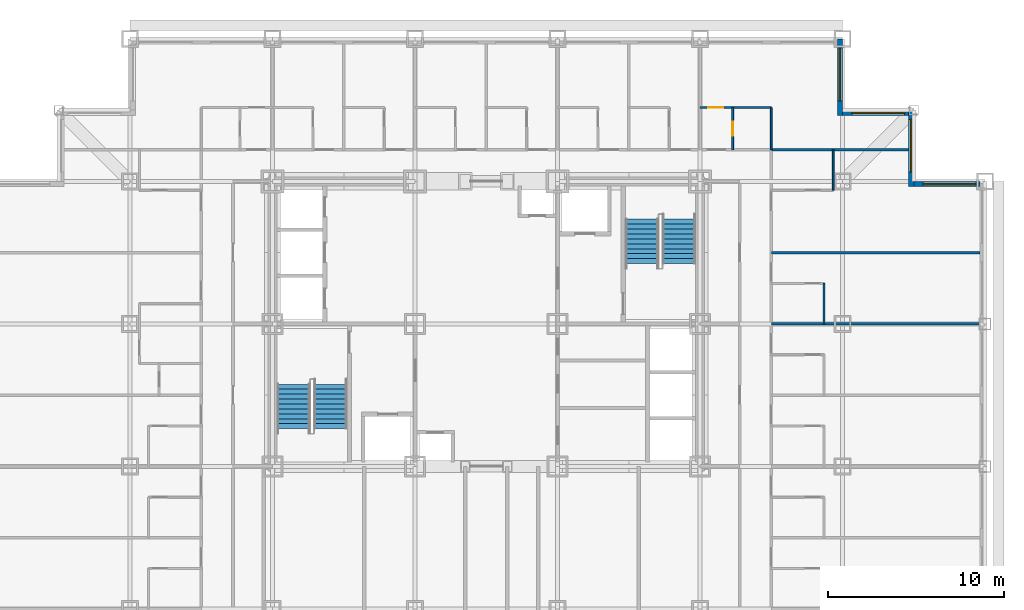
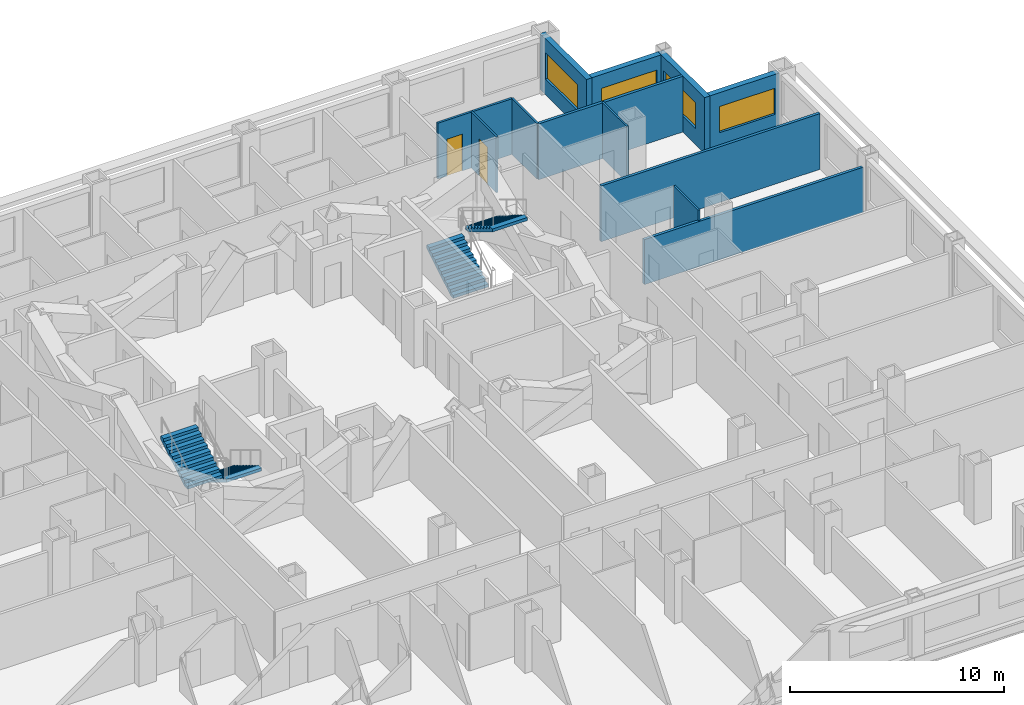
# One storey, part 10 of 11: 12 walls, 4 stair flights, 4 windows, 2 doors, 6 openings, 2 elements without a shape of their own.
"""IFC4 building model written with IfcOpenShell, lengths in metres."""

from ifc_helpers import new_model, si_unit, direction, frame, frame_2d, origin, place, context, subcontext, project, spatial, rectangle, extrude, polygons, source, transform, mapped, material, layer, layer_set, type_object, element, fill, aggregate, save


model = new_model("IFC4")

# Units and contexts
model_context = context("Model", 3, precision=1e-05, world=origin(), true_north=direction((0.0, 1.0)))
body_context = subcontext(model_context, "Body", "Model", "MODEL_VIEW")
ifc_project = project(units=[si_unit("LENGTHUNIT", "METRE"), si_unit("AREAUNIT", "SQUARE_METRE"), si_unit("VOLUMEUNIT", "CUBIC_METRE"), si_unit("PLANEANGLEUNIT", "RADIAN"), si_unit("MASSUNIT", "GRAM", prefix="KILO")], contexts=[model_context])

# Site, building, storey
site_placement = place(None, origin())
site = spatial("IfcSite", under=ifc_project, at=site_placement, CompositionType="ELEMENT")
building_placement = place(site_placement, origin())
building = spatial("IfcBuilding", under=site, at=building_placement, Name="Kopane Lantern Tower", CompositionType="ELEMENT")
storey_placement = place(building_placement, frame((0.0, 0.0, 56.800048828125)))
storey = spatial("IfcBuildingStorey", under=building, at=storey_placement, Name="L13", CompositionType="ELEMENT", Elevation=56.800048828125)

# Wall, opening, door
ifc_material_1 = material(Name="Gypsum board on steel studs", Category="steel")
ifc_layer_1 = layer(ifc_material_1, 0.1201171875)
ifc_layer_set_1 = layer_set([ifc_layer_1], Name="APARTMENT INTERNAL WALL 120")
wall_type_1 = type_object("IfcWallType", Name="APARTMENT INTERNAL WALL 120", PredefinedType="PARTITIONING", material=ifc_layer_set_1)
wall_1_placement = place(storey_placement, frame((40.5, 44.699951171875, 0.0), z_axis=(0.0, 0.0, 1.0), x_axis=(1.0, 0.0, 0.0)))
wall_1 = element("IfcWall", 1, at=wall_1_placement, inside=storey, type_object=wall_type_1, Name="Apartment Internal Wall 120 L13", PredefinedType="PARTITIONING", context=body_context, shape_type="SweptSolid", body=[
    extrude(rectangle(XDim=4.050048828125, YDim=0.1201171875, at=frame_2d((2.02490234375, 0.0))), origin(), (0.0, 0.0, 1.0), 3.18994140625),
])
opening_1_placement = place(wall_1_placement, frame((0.47509765625, 0.0, 0.0)))
opening_1 = element("IfcOpeningElement", 2, at=opening_1_placement, cuts=wall_1, Name="Opening L13-072", PredefinedType="OPENING", context=body_context, shape_type="SweptSolid", body=[
    extrude(rectangle(XDim=0.85009765625, YDim=2.10009765625, at=frame_2d((0.425048828125, 1.050048828125))), frame((0.0, 0.070068359375, 0.0), z_axis=(0.0, -1.0, 0.0), x_axis=(1.0, 0.0, 0.0)), (0.0, 0.0, 1.0), 0.14013671875),
])
ifc_material_2 = material(Name="Timber door set", Category="wood")
door_type_1 = type_object("IfcDoorType", Name="DOOR D4 850x2100", OperationType="SINGLE_SWING_LEFT", PredefinedType="DOOR", material=ifc_material_2)
door_1_placement = place(opening_1_placement, origin())
door_1 = element("IfcDoor", 3, at=door_1_placement, inside=storey, type_object=door_type_1, Name="Door L13-072", OperationType="SINGLE_SWING_LEFT", OverallHeight=2.10009765625, OverallWidth=0.85009765625, PredefinedType="DOOR", context=body_context, shape_type="SweptSolid", body=[
    extrude(rectangle(XDim=0.85009765625, YDim=2.10009765625, at=frame_2d((0.425048828125, 1.050048828125))), frame((0.0, 0.02490234375, 0.0), z_axis=(0.0, -1.0, 0.0), x_axis=(1.0, 0.0, 0.0)), (0.0, 0.0, 1.0), 0.050048828125),
])
fill(opening_1, door_1)

# Walls
ifc_material_3 = material(Name="Moisture-resistant board on steel studs", Category="steel")
ifc_layer_2 = layer(ifc_material_3, 0.10009765625)
ifc_layer_set_2 = layer_set([ifc_layer_2], Name="BATHROOM WALL 100")
wall_type_2 = type_object("IfcWallType", Name="BATHROOM WALL 100", PredefinedType="PARTITIONING", material=ifc_layer_set_2)
for number, where, z_axis, x_axis, name in (
    (4, (47.550048828125, 32.39990234375, 0.0), (0.0, 0.0, 1.0), (0.0, 1.0, 0.0), "Bathroom Wall 100 L13"),
    (5, (48.06494140625, 40.0, 0.0), (0.0, 0.0, 1.0), (0.0, 1.0, 0.0), "Bathroom Wall 100 L13"),
):
    element("IfcWall", number, at=place(storey_placement, frame(where, z_axis=z_axis, x_axis=x_axis)), inside=storey, type_object=wall_type_2, Name=name, PredefinedType="PARTITIONING", context=body_context, shape_type="SweptSolid", body=[
        extrude(rectangle(XDim=2.300048828125, YDim=0.10009765625, at=frame_2d((1.14990234375, 0.0))), origin(), (0.0, 0.0, 1.0), 3.18994140625),
    ])

# Wall, opening, door
wall_2_placement = place(storey_placement, frame((42.35009765625, 42.300048828125, 0.0), z_axis=(0.0, 0.0, 1.0), x_axis=(0.0, 1.0, 0.0)))
wall_2 = element("IfcWall", 6, at=wall_2_placement, inside=storey, type_object=wall_type_2, Name="Bathroom Wall 100 L13", PredefinedType="PARTITIONING", context=body_context, shape_type="SweptSolid", body=[
    extrude(rectangle(XDim=2.39990234375, YDim=0.10009765625, at=frame_2d((1.199951171875, 0.0))), origin(), (0.0, 0.0, 1.0), 3.18994140625),
])
opening_2_placement = place(wall_2_placement, frame((0.800048828125, 0.0, 0.0)))
opening_2 = element("IfcOpeningElement", 7, at=opening_2_placement, cuts=wall_2, Name="Opening L13-070", PredefinedType="OPENING", context=body_context, shape_type="SweptSolid", body=[
    extrude(rectangle(XDim=0.800048828125, YDim=2.10009765625, at=frame_2d((0.39990234375, 1.050048828125))), frame((0.0, 0.06005859375, 0.0), z_axis=(0.0, -1.0, 0.0), x_axis=(1.0, 0.0, 0.0)), (0.0, 0.0, 1.0), 0.1201171875),
])
ifc_material_4 = material(Name="Timber door set", Category="wood")
door_type_2 = type_object("IfcDoorType", Name="DOOR D2 800x2100", OperationType="SINGLE_SWING_LEFT", PredefinedType="DOOR", material=ifc_material_4)
door_2_placement = place(opening_2_placement, origin())
door_2 = element("IfcDoor", 8, at=door_2_placement, inside=storey, type_object=door_type_2, Name="Door L13-070", OperationType="SINGLE_SWING_RIGHT", OverallHeight=2.10009765625, OverallWidth=0.800048828125, PredefinedType="DOOR", context=body_context, shape_type="SweptSolid", body=[
    extrude(rectangle(XDim=0.800048828125, YDim=2.10009765625, at=frame_2d((0.39990234375, 1.050048828125))), frame((0.0, 0.02490234375, 0.0), z_axis=(0.0, -1.0, 0.0), x_axis=(1.0, 0.0, 0.0)), (0.0, 0.0, 1.0), 0.050048828125),
])
fill(opening_2, door_2)

# Walls
wall_3_placement = place(storey_placement, frame((44.550048828125, 42.300048828125, 0.0), z_axis=(0.0, 0.0, 1.0), x_axis=(0.0, 1.0, 0.0)))
element("IfcWall", 9, at=wall_3_placement, inside=storey, type_object=wall_type_2, Name="Bathroom Wall 100 L13", PredefinedType="PARTITIONING", context=body_context, shape_type="SweptSolid", body=[
    extrude(rectangle(XDim=2.39990234375, YDim=0.10009765625, at=frame_2d((1.199951171875, 0.0))), origin(), (0.0, 0.0, 1.0), 3.18994140625),
])
ifc_material_5 = material(Name="Gypsum board on steel studs", Category="steel")
ifc_layer_3 = layer(ifc_material_5, 0.14990234375)
ifc_layer_set_3 = layer_set([ifc_layer_3], Name="DEMISING WALL 150 EI 60")
wall_type_3 = type_object("IfcWallType", Name="DEMISING WALL 150 EI 60", PredefinedType="PARTITIONING", material=ifc_layer_set_3)
wall_4_placement = place(storey_placement, frame((44.550048828125, 32.39990234375, 0.0), z_axis=(0.0, 0.0, 1.0), x_axis=(1.0, 0.0, 0.0)))
element("IfcWall", 10, at=wall_4_placement, inside=storey, type_object=wall_type_3, Name="Demising Wall 150 Ei 60 L13", PredefinedType="PARTITIONING", context=body_context, shape_type="SweptSolid", body=[
    extrude(rectangle(XDim=11.849853515625, YDim=0.14990234375, at=frame_2d((5.9248046875, 0.0))), origin(), (0.0, 0.0, 1.0), 2.57763671875),
])
wall_5_placement = place(storey_placement, frame((44.550048828125, 36.449951171875, 0.0), z_axis=(0.0, 0.0, 1.0), x_axis=(1.0, 0.0, 0.0)))
element("IfcWall", 11, at=wall_5_placement, inside=storey, type_object=wall_type_3, Name="Demising Wall 150 Ei 60 L13", PredefinedType="PARTITIONING", context=body_context, shape_type="SweptSolid", body=[
    extrude(rectangle(XDim=11.849853515625, YDim=0.14990234375, at=frame_2d((5.9248046875, 0.0))), origin(), (0.0, 0.0, 1.0), 3.18994140625),
])
wall_6_placement = place(storey_placement, frame((44.550048828125, 42.300048828125, 0.0), z_axis=(0.0, 0.0, 1.0), x_axis=(1.0, 0.0, 0.0)))
element("IfcWall", 12, at=wall_6_placement, inside=storey, type_object=wall_type_3, Name="Demising Wall 150 Ei 60 L13", PredefinedType="PARTITIONING", context=body_context, shape_type="SweptSolid", body=[
    extrude(rectangle(XDim=7.800048828125, YDim=0.14990234375, at=frame_2d((3.89990234375, 0.0))), origin(), (0.0, 0.0, 1.0), 3.18994140625),
])

# Wall, opening, window
ifc_material_6 = material(Name="Terracotta rainscreen on light steel framing", Category="masonry")
ifc_layer_4 = layer(ifc_material_6, 0.300048828125)
ifc_layer_set_4 = layer_set([ifc_layer_4], Name="EXTERNAL WALL EW1 300 TERRACOTTA")
wall_type_4 = type_object("IfcWallType", Name="EXTERNAL WALL EW1 300 TERRACOTTA", PredefinedType="SOLIDWALL", material=ifc_layer_set_4)
wall_7_placement = place(storey_placement, frame((56.39990234375, 40.35009765625, 0.0), z_axis=(0.0, 0.0, 1.0), x_axis=(-1.0, 0.0, 0.0)))
wall_7 = element("IfcWall", 13, at=wall_7_placement, inside=storey, type_object=wall_type_4, Name="External wall N L13", PredefinedType="SOLIDWALL", context=body_context, shape_type="SweptSolid", body=[
    extrude(rectangle(XDim=3.75, YDim=0.300048828125, at=frame_2d((1.875, 0.0))), origin(), (0.0, 0.0, 1.0), 3.18994140625),
])
opening_3_placement = place(wall_7_placement, frame((0.22509765625, 0.0, 0.89990234375)))
opening_3 = element("IfcOpeningElement", 14, at=opening_3_placement, cuts=wall_7, Name="Opening WR300150", PredefinedType="OPENING", context=body_context, shape_type="SweptSolid", body=[
    extrude(rectangle(XDim=3.0, YDim=1.5, at=frame_2d((1.5, 0.75))), frame((0.0, 0.159912109375, 0.0), z_axis=(0.0, -1.0, 0.0), x_axis=(1.0, 0.0, 0.0)), (0.0, 0.0, 1.0), 0.320068359375),
])
ifc_material_7 = material(Name="Aluminium and clear glass", Category="aluminium")
window_type = type_object("IfcWindowType", Name="RIBBON WINDOW WR300150 3000x1500", PartitioningType="SINGLE_PANEL", PredefinedType="WINDOW", material=ifc_material_7)
window_1_placement = place(opening_3_placement, origin())
window_1 = element("IfcWindow", 15, at=window_1_placement, inside=storey, type_object=window_type, Name="Window N L13", OverallHeight=1.5, OverallWidth=3.0, PartitioningType="SINGLE_PANEL", PredefinedType="WINDOW", context=body_context, shape_type="SweptSolid", body=[
    extrude(rectangle(XDim=3.0, YDim=1.5, at=frame_2d((1.5, 0.75))), frame((0.0, 0.030029296875, 0.0), z_axis=(0.0, -1.0, 0.0), x_axis=(1.0, 0.0, 0.0)), (0.0, 0.0, 1.0), 0.06005859375),
])
fill(opening_3, window_1)

wall_8_placement = place(storey_placement, frame((52.5, 40.199951171875, 0.0), z_axis=(0.0, 0.0, 1.0), x_axis=(0.0, 1.0, 0.0)))
wall_8 = element("IfcWall", 16, at=wall_8_placement, inside=storey, type_object=wall_type_4, Name="External wall E L13", PredefinedType="SOLIDWALL", context=body_context, shape_type="SweptSolid", body=[
    extrude(rectangle(XDim=4.35009765625, YDim=0.300048828125, at=frame_2d((2.175048828125, 0.0))), origin(), (0.0, 0.0, 1.0), 3.18994140625),
])
opening_4_placement = place(wall_8_placement, frame((0.824951171875, 0.0, 0.89990234375)))
opening_4 = element("IfcOpeningElement", 17, at=opening_4_placement, cuts=wall_8, Name="Opening WR300150", PredefinedType="OPENING", context=body_context, shape_type="SweptSolid", body=[
    extrude(rectangle(XDim=3.0, YDim=1.5, at=frame_2d((1.5, 0.75))), frame((0.0, 0.159912109375, 0.0), z_axis=(0.0, -1.0, 0.0), x_axis=(1.0, 0.0, 0.0)), (0.0, 0.0, 1.0), 0.320068359375),
])
window_2_placement = place(opening_4_placement, origin())
window_2 = element("IfcWindow", 18, at=window_2_placement, inside=storey, type_object=window_type, Name="Window E L13", OverallHeight=1.5, OverallWidth=3.0, PartitioningType="SINGLE_PANEL", PredefinedType="WINDOW", context=body_context, shape_type="SweptSolid", body=[
    extrude(rectangle(XDim=3.0, YDim=1.5, at=frame_2d((1.5, 0.75))), frame((0.0, 0.030029296875, 0.0), z_axis=(0.0, -1.0, 0.0), x_axis=(1.0, 0.0, 0.0)), (0.0, 0.0, 1.0), 0.06005859375),
])
fill(opening_4, window_2)

wall_9_placement = place(storey_placement, frame((52.35009765625, 44.39990234375, 0.0), z_axis=(0.0, 0.0, 1.0), x_axis=(-1.0, 0.0, 0.0)))
wall_9 = element("IfcWall", 19, at=wall_9_placement, inside=storey, type_object=wall_type_4, Name="External wall N L13", PredefinedType="SOLIDWALL", context=body_context, shape_type="SweptSolid", body=[
    extrude(rectangle(XDim=3.75, YDim=0.300048828125, at=frame_2d((1.875, 0.0))), origin(), (0.0, 0.0, 1.0), 3.18994140625),
])
opening_5_placement = place(wall_9_placement, frame((0.22509765625, 0.0, 0.89990234375)))
opening_5 = element("IfcOpeningElement", 20, at=opening_5_placement, cuts=wall_9, Name="Opening WR300150", PredefinedType="OPENING", context=body_context, shape_type="SweptSolid", body=[
    extrude(rectangle(XDim=3.0, YDim=1.5, at=frame_2d((1.5, 0.75))), frame((0.0, 0.159912109375, 0.0), z_axis=(0.0, -1.0, 0.0), x_axis=(1.0, 0.0, 0.0)), (0.0, 0.0, 1.0), 0.320068359375),
])
window_3_placement = place(opening_5_placement, origin())
window_3 = element("IfcWindow", 21, at=window_3_placement, inside=storey, type_object=window_type, Name="Window N L13", OverallHeight=1.5, OverallWidth=3.0, PartitioningType="SINGLE_PANEL", PredefinedType="WINDOW", context=body_context, shape_type="SweptSolid", body=[
    extrude(rectangle(XDim=3.0, YDim=1.5, at=frame_2d((1.5, 0.75))), frame((0.0, 0.030029296875, 0.0), z_axis=(0.0, -1.0, 0.0), x_axis=(1.0, 0.0, 0.0)), (0.0, 0.0, 1.0), 0.06005859375),
])
fill(opening_5, window_3)

wall_10_placement = place(storey_placement, frame((48.449951171875, 44.25, 0.0), z_axis=(0.0, 0.0, 1.0), x_axis=(0.0, 1.0, 0.0)))
wall_10 = element("IfcWall", 22, at=wall_10_placement, inside=storey, type_object=wall_type_4, Name="External wall E L13", PredefinedType="SOLIDWALL", context=body_context, shape_type="SweptSolid", body=[
    extrude(rectangle(XDim=4.35009765625, YDim=0.300048828125, at=frame_2d((2.175048828125, 0.0))), origin(), (0.0, 0.0, 1.0), 3.18994140625),
])
opening_6_placement = place(wall_10_placement, frame((0.824951171875, 0.0, 0.89990234375)))
opening_6 = element("IfcOpeningElement", 23, at=opening_6_placement, cuts=wall_10, Name="Opening WR300150", PredefinedType="OPENING", context=body_context, shape_type="SweptSolid", body=[
    extrude(rectangle(XDim=3.0, YDim=1.5, at=frame_2d((1.5, 0.75))), frame((0.0, 0.159912109375, 0.0), z_axis=(0.0, -1.0, 0.0), x_axis=(1.0, 0.0, 0.0)), (0.0, 0.0, 1.0), 0.320068359375),
])
window_4_placement = place(opening_6_placement, origin())
window_4 = element("IfcWindow", 24, at=window_4_placement, inside=storey, type_object=window_type, Name="Window E L13", OverallHeight=1.5, OverallWidth=3.0, PartitioningType="SINGLE_PANEL", PredefinedType="WINDOW", context=body_context, shape_type="SweptSolid", body=[
    extrude(rectangle(XDim=3.0, YDim=1.5, at=frame_2d((1.5, 0.75))), frame((0.0, 0.030029296875, 0.0), z_axis=(0.0, -1.0, 0.0), x_axis=(1.0, 0.0, 0.0)), (0.0, 0.0, 1.0), 0.06005859375),
])
fill(opening_6, window_4)

# Stair, stair flights
ifc_material_8 = material(Name="Steel S355JR", Category="steel")
stair_type = type_object("IfcStairType", Name="EXIT STAIR 1900 HALF TURN", PredefinedType="HALF_TURN_STAIR", material=ifc_material_8)
stair_1_placement = place(storey_placement, origin())
stair_1 = element("IfcStair", 25, at=stair_1_placement, inside=storey, type_object=stair_type, Name="Exit stair ST1 L13", PredefinedType="HALF_TURN_STAIR")
ifc_material_9 = material(Name="Steel S355JR", Category="steel")
stair_flight_type = type_object("IfcStairFlightType", Name="STAIR FLIGHT 1900 STEEL", PredefinedType="STRAIGHT", material=ifc_material_9)
shared_shape = source(origin(), body_context, "Body", "Tessellation", [
    polygons([(2.520019531, 0.949951172, 1.530029297), (2.239990234, 0.949951172, 1.530029297), (2.239990234, -0.949951172, 1.530029297), (2.520019531, -0.949951172, 1.530029297), (0.288818359, 0.949951172, 0.0), (2.520019531, 0.949951172, 1.354736328), (2.520019531, -0.949951172, 1.354736328), (0.288818359, -0.949951172, 0.0), (0.0, 0.949951172, 0.0), (0.0, -0.949951172, 0.0), (0.280029297, 0.949951172, 0.169921875), (0.0, 0.949951172, 0.169921875), (0.0, -0.949951172, 0.169921875), (0.280029297, -0.949951172, 0.169921875), (0.280029297, 0.949951172, 0.340087891), (0.280029297, -0.949951172, 0.340087891), (0.560058594, 0.949951172, 0.340087891), (0.560058594, -0.949951172, 0.340087891), (0.560058594, 0.949951172, 0.510009766), (0.560058594, -0.949951172, 0.510009766), (0.840087891, 0.949951172, 0.510009766), (0.840087891, -0.949951172, 0.510009766), (0.840087891, 0.949951172, 0.679931641), (0.840087891, -0.949951172, 0.679931641), (1.120117188, 0.949951172, 0.679931641), (1.120117188, -0.949951172, 0.679931641), (1.120117188, 0.949951172, 0.850097656), (1.120117188, -0.949951172, 0.850097656), (1.399902344, 0.949951172, 0.850097656), (1.399902344, -0.949951172, 0.850097656), (1.399902344, 0.949951172, 1.020019531), (1.399902344, -0.949951172, 1.020019531), (1.679931641, 0.949951172, 1.020019531), (1.679931641, -0.949951172, 1.020019531), (1.679931641, 0.949951172, 1.189941406), (1.679931641, -0.949951172, 1.189941406), (1.959960938, 0.949951172, 1.189941406), (1.959960938, -0.949951172, 1.189941406), (1.959960938, 0.949951172, 1.360107422), (1.959960938, -0.949951172, 1.360107422), (2.239990234, 0.949951172, 1.360107422), (2.239990234, -0.949951172, 1.360107422), (0.0, 0.0, 0.004592483), (0.0, 0.0, 0.009184966), (0.0, 0.0, 0.013777449), (0.0, 0.0, 0.018369932), (0.0, 0.0, 0.022962416), (0.0, 0.0, 0.027554899), (0.0, 0.0, 0.032147382), (0.0, 0.0, 0.036739865), (0.0, 0.0, 0.041332348), (0.0, 0.0, 0.045924831), (0.0, 0.0, 0.050517314), (0.0, 0.0, 0.055109797), (0.0, 0.0, 0.05970228), (0.0, 0.0, 0.064294764), (0.0, 0.0, 0.068887247), (0.0, 0.0, 0.07347973), (0.0, 0.0, 0.078072213), (0.0, 0.0, 0.082664696), (0.0, 0.0, 0.087257179), (0.0, 0.0, 0.091849662), (0.0, 0.0, 0.096442145), (0.0, 0.0, 0.101034628), (0.0, 0.0, 0.105627111), (0.0, 0.0, 0.110219595), (0.0, 0.0, 0.114812078), (0.0, 0.0, 0.119404561), (0.0, 0.0, 0.123997044), (0.0, 0.0, 0.128589527), (0.0, 0.0, 0.13318201), (0.0, 0.0, 0.137774493), (0.0, 0.0, 0.142366976), (0.0, 0.0, 0.146959459), (0.0, 0.0, 0.151551943), (0.0, 0.0, 0.156144426), (0.0, 0.0, 0.160736909), (0.0, 0.0, 0.165329392), (2.520019531, 0.0, 1.359473976), (2.520019531, 0.0, 1.364211624), (2.520019531, 0.0, 1.368949272), (2.520019531, 0.0, 1.373686919), (2.520019531, 0.0, 1.378424567), (2.520019531, 0.0, 1.383162215), (2.520019531, 0.0, 1.387899863), (2.520019531, 0.0, 1.392637511), (2.520019531, 0.0, 1.397375158), (2.520019531, 0.0, 1.402112806), (2.520019531, 0.0, 1.406850454), (2.520019531, 0.0, 1.411588102), (2.520019531, 0.0, 1.41632575), (2.520019531, 0.0, 1.421063397), (2.520019531, 0.0, 1.425801045), (2.520019531, 0.0, 1.430538693), (2.520019531, 0.0, 1.435276341), (2.520019531, 0.0, 1.440013989), (2.520019531, 0.0, 1.444751636), (2.520019531, 0.0, 1.449489284), (2.520019531, 0.0, 1.454226932), (2.520019531, 0.0, 1.45896458), (2.520019531, 0.0, 1.463702228), (2.520019531, 0.0, 1.468439875), (2.520019531, 0.0, 1.473177523), (2.520019531, 0.0, 1.477915171), (2.520019531, 0.0, 1.482652819), (2.520019531, 0.0, 1.487390467), (2.520019531, 0.0, 1.492128114), (2.520019531, 0.0, 1.496865762), (2.520019531, 0.0, 1.50160341), (2.520019531, 0.0, 1.506341058), (2.520019531, 0.0, 1.511078706), (2.520019531, 0.0, 1.515816353), (2.520019531, 0.0, 1.520554001), (2.520019531, 0.0, 1.525291649)], [[[1, 2, 3]], [[1, 3, 4]], [[5, 6, 7]], [[5, 7, 8]], [[9, 5, 8]], [[9, 8, 10]], [[11, 12, 13]], [[11, 13, 14]], [[15, 11, 14]], [[15, 14, 16]], [[17, 15, 16]], [[17, 16, 18]], [[19, 17, 18]], [[19, 18, 20]], [[21, 19, 20]], [[21, 20, 22]], [[23, 21, 22]], [[23, 22, 24]], [[25, 23, 24]], [[25, 24, 26]], [[27, 25, 26]], [[27, 26, 28]], [[29, 27, 28]], [[29, 28, 30]], [[31, 29, 30]], [[31, 30, 32]], [[33, 31, 32]], [[33, 32, 34]], [[35, 33, 34]], [[35, 34, 36]], [[37, 35, 36]], [[37, 36, 38]], [[39, 37, 38]], [[39, 38, 40]], [[41, 39, 40]], [[41, 40, 42]], [[2, 41, 42]], [[2, 42, 3]], [[41, 1, 6]], [[37, 41, 6]], [[2, 1, 41]], [[33, 37, 6]], [[39, 41, 37]], [[35, 37, 33]], [[31, 33, 29]], [[5, 21, 25]], [[27, 29, 25]], [[17, 21, 5]], [[23, 25, 21]], [[11, 17, 5]], [[19, 21, 17]], [[9, 11, 5]], [[15, 17, 11]], [[12, 11, 9]], [[6, 5, 25]], [[6, 25, 29]], [[6, 29, 33]], [[7, 4, 42]], [[7, 42, 38]], [[42, 4, 3]], [[7, 38, 34]], [[38, 42, 40]], [[34, 38, 36]], [[30, 34, 32]], [[26, 22, 8]], [[26, 30, 28]], [[8, 22, 18]], [[22, 26, 24]], [[8, 18, 14]], [[18, 22, 20]], [[8, 14, 10]], [[14, 18, 16]], [[10, 14, 13]], [[26, 8, 7]], [[30, 26, 7]], [[34, 30, 7]], [[10, 43, 9]], [[10, 44, 43]], [[9, 43, 44]], [[10, 45, 44]], [[9, 44, 45]], [[10, 46, 45]], [[9, 45, 46]], [[10, 47, 46]], [[9, 46, 47]], [[10, 48, 47]], [[9, 47, 48]], [[10, 49, 48]], [[9, 48, 49]], [[10, 50, 49]], [[9, 49, 50]], [[10, 51, 50]], [[9, 50, 51]], [[10, 52, 51]], [[9, 51, 52]], [[10, 53, 52]], [[9, 52, 53]], [[10, 54, 53]], [[9, 53, 54]], [[10, 55, 54]], [[9, 54, 55]], [[10, 56, 55]], [[9, 55, 56]], [[10, 57, 56]], [[9, 56, 57]], [[10, 58, 57]], [[9, 57, 58]], [[10, 59, 58]], [[9, 58, 59]], [[10, 60, 59]], [[9, 59, 60]], [[10, 61, 60]], [[9, 60, 61]], [[10, 62, 61]], [[9, 61, 62]], [[10, 63, 62]], [[9, 62, 63]], [[10, 64, 63]], [[9, 63, 64]], [[10, 65, 64]], [[9, 64, 65]], [[10, 66, 65]], [[9, 65, 66]], [[10, 67, 66]], [[9, 66, 67]], [[10, 68, 67]], [[9, 67, 68]], [[10, 69, 68]], [[9, 68, 69]], [[10, 70, 69]], [[9, 69, 70]], [[10, 71, 70]], [[9, 70, 71]], [[10, 72, 71]], [[9, 71, 72]], [[10, 73, 72]], [[9, 72, 73]], [[10, 74, 73]], [[9, 73, 74]], [[10, 75, 74]], [[9, 74, 75]], [[10, 76, 75]], [[9, 75, 76]], [[10, 77, 76]], [[9, 76, 77]], [[10, 78, 77]], [[9, 77, 78]], [[10, 13, 78]], [[78, 13, 12]], [[9, 78, 12]], [[7, 6, 79]], [[7, 79, 80]], [[6, 80, 79]], [[7, 80, 81]], [[6, 81, 80]], [[7, 81, 82]], [[6, 82, 81]], [[7, 82, 83]], [[6, 83, 82]], [[7, 83, 84]], [[6, 84, 83]], [[7, 84, 85]], [[6, 85, 84]], [[7, 85, 86]], [[6, 86, 85]], [[7, 86, 87]], [[6, 87, 86]], [[7, 87, 88]], [[6, 88, 87]], [[7, 88, 89]], [[6, 89, 88]], [[7, 89, 90]], [[6, 90, 89]], [[7, 90, 91]], [[6, 91, 90]], [[7, 91, 92]], [[6, 92, 91]], [[7, 92, 93]], [[6, 93, 92]], [[7, 93, 94]], [[6, 94, 93]], [[7, 94, 95]], [[6, 95, 94]], [[7, 95, 96]], [[6, 96, 95]], [[7, 96, 97]], [[6, 97, 96]], [[7, 97, 98]], [[6, 98, 97]], [[7, 98, 99]], [[6, 99, 98]], [[7, 99, 100]], [[6, 100, 99]], [[7, 100, 101]], [[6, 101, 100]], [[7, 101, 102]], [[6, 102, 101]], [[7, 102, 103]], [[6, 103, 102]], [[7, 103, 104]], [[6, 104, 103]], [[7, 104, 105]], [[6, 105, 104]], [[7, 105, 106]], [[6, 106, 105]], [[7, 106, 107]], [[6, 107, 106]], [[7, 107, 108]], [[6, 108, 107]], [[7, 108, 109]], [[6, 109, 108]], [[7, 109, 110]], [[6, 110, 109]], [[7, 110, 111]], [[6, 111, 110]], [[7, 111, 112]], [[6, 112, 111]], [[7, 112, 113]], [[6, 113, 112]], [[7, 113, 114]], [[6, 114, 113]], [[7, 114, 4]], [[114, 1, 4]], [[6, 1, 114]]], closed=True),
])
stair_flight_1_placement = place(storey_placement, frame((19.5, 28.969970703125, 0.0), z_axis=(0.0, 0.0, 1.0), x_axis=(0.0, -1.0, 0.0)))
stair_flight_1 = element("IfcStairFlight", 26, at=stair_flight_1_placement, type_object=stair_flight_type, Name="ST1 flight 1", NumberOfRisers=10, NumberOfTreads=9, PredefinedType="STRAIGHT", RiserHeight=0.17, TreadLength=0.28, context=body_context, shape_type="MappedRepresentation", body=[
    mapped(shared_shape, transform((0.0, 0.0, 0.0))),
])
stair_flight_2_placement = place(storey_placement, frame((17.39990234375, 26.449951171875, 1.699951171875), z_axis=(0.0, 0.0, 1.0), x_axis=(0.0, 1.0, 0.0)))
stair_flight_2 = element("IfcStairFlight", 27, at=stair_flight_2_placement, type_object=stair_flight_type, Name="ST1 flight 2", NumberOfRisers=10, NumberOfTreads=9, PredefinedType="STRAIGHT", RiserHeight=0.17, TreadLength=0.28, context=body_context, shape_type="MappedRepresentation", body=[
    mapped(shared_shape, transform((0.0, 0.0, 0.0))),
])
aggregate(stair_1, [stair_flight_1, stair_flight_2])

stair_2_placement = place(storey_placement, origin())
stair_2 = element("IfcStair", 28, at=stair_2_placement, inside=storey, type_object=stair_type, Name="Exit stair ST2 L13", PredefinedType="HALF_TURN_STAIR")
stair_flight_3_placement = place(storey_placement, frame((37.199951171875, 35.830078125, 0.0), z_axis=(0.0, 0.0, 1.0), x_axis=(0.0, 1.0, 0.0)))
stair_flight_3 = element("IfcStairFlight", 29, at=stair_flight_3_placement, type_object=stair_flight_type, Name="ST2 flight 1", NumberOfRisers=10, NumberOfTreads=9, PredefinedType="STRAIGHT", RiserHeight=0.17, TreadLength=0.28, context=body_context, shape_type="MappedRepresentation", body=[
    mapped(shared_shape, transform((0.0, 0.0, 0.0))),
])
stair_flight_4_placement = place(storey_placement, frame((39.300048828125, 38.35009765625, 1.699951171875), z_axis=(0.0, 0.0, 1.0), x_axis=(0.0, -1.0, 0.0)))
stair_flight_4 = element("IfcStairFlight", 30, at=stair_flight_4_placement, type_object=stair_flight_type, Name="ST2 flight 2", NumberOfRisers=10, NumberOfTreads=9, PredefinedType="STRAIGHT", RiserHeight=0.17, TreadLength=0.28, context=body_context, shape_type="MappedRepresentation", body=[
    mapped(shared_shape, transform((0.0, 0.0, 0.0))),
])
aggregate(stair_2, [stair_flight_3, stair_flight_4])

save(model, "model.ifc")
